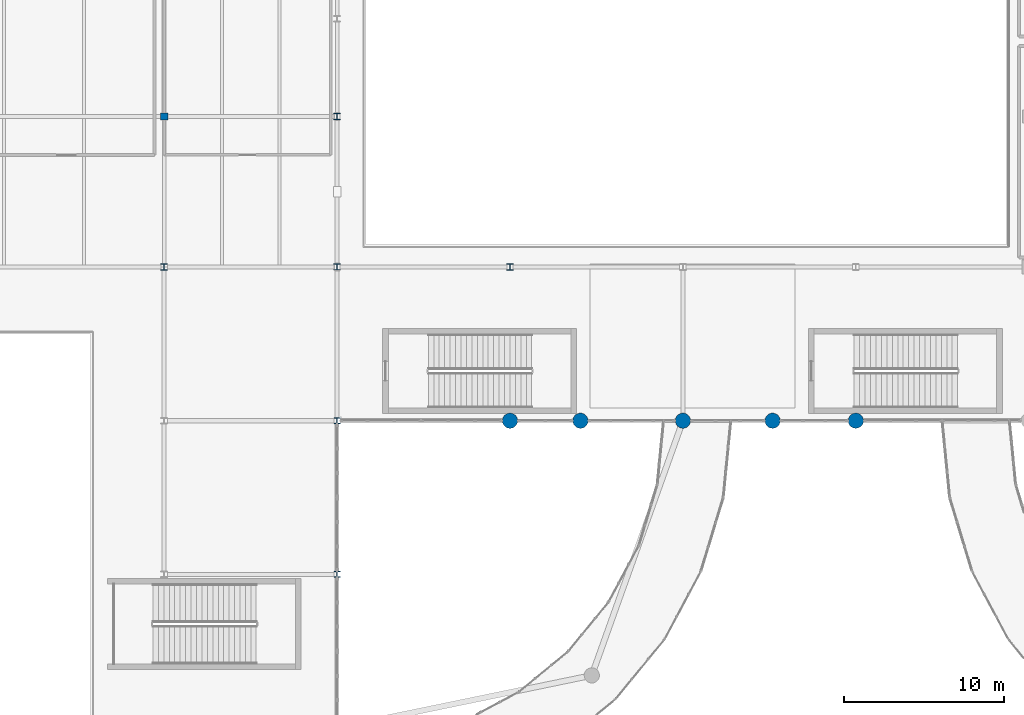
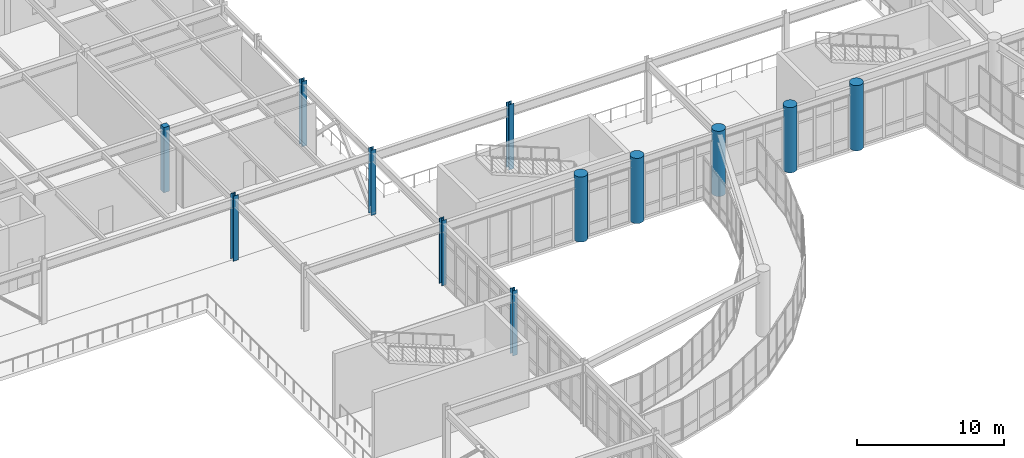
# One storey, part 6 of 72: 12 columns.
"""IFC4 building model written with IfcOpenShell, lengths in metres."""

from ifc_helpers import new_model, si_unit, direction, frame, origin, origin_2d, place, context, subcontext, project, spatial, rectangle, circle, i_section, extrude, material, material_profile, profile_set, type_object, element, save


model = new_model("IFC4")

# Units and contexts
model_context = context("Model", 3, precision=1e-05, world=origin(), true_north=direction((0.0, 1.0)))
body_context = subcontext(model_context, "Body", "Model", "MODEL_VIEW")
ifc_project = project(units=[si_unit("LENGTHUNIT", "METRE"), si_unit("AREAUNIT", "SQUARE_METRE"), si_unit("VOLUMEUNIT", "CUBIC_METRE"), si_unit("PLANEANGLEUNIT", "RADIAN"), si_unit("MASSUNIT", "GRAM", prefix="KILO")], contexts=[model_context])

# Site, building, storey
site_placement = place(None, origin())
site = spatial("IfcSite", under=ifc_project, at=site_placement, CompositionType="ELEMENT")
building_placement = place(site_placement, origin())
building = spatial("IfcBuilding", under=site, at=building_placement, Name="Veldera Park Congress Hotel", CompositionType="ELEMENT")
storey_placement = place(building_placement, frame((0.0, 0.0, 5.39990234375)))
storey = spatial("IfcBuildingStorey", under=building, at=storey_placement, Name="L01", CompositionType="ELEMENT", Elevation=5.39990234375)

# Columns
ifc_material_1 = material(Name="Glulam GL28h (NDS 24F-V4)", Category="wood")
ifc_material_profile_1 = material_profile(ifc_material_1, rectangle(XDim=0.449951171875, YDim=0.449951171875, at=origin_2d()), Name="GL28h 450x450")
ifc_profile_set_1 = profile_set([ifc_material_profile_1], Name="Glulam GL28h (NDS 24F-V4)")
column_type_1 = type_object("IfcColumnType", Name="COL-GL45E", PredefinedType="COLUMN", material=ifc_profile_set_1)
column_1_placement = place(storey_placement, frame((-12.39990234375, 36.39990234375, 0.0), z_axis=(0.0, 0.0, 1.0), x_axis=(1.0, 0.0, 0.0)))
element("IfcColumn", 1, at=column_1_placement, inside=storey, type_object=column_type_1, Name="L01 Column COL-GL45E (-12.4,36.4)", PredefinedType="COLUMN", context=body_context, shape_type="SweptSolid", body=[
    extrude(rectangle(XDim=0.449951171875, YDim=0.449951171875, at=origin_2d()), origin(), (0.0, 0.0, 1.0), 5.400146484375),
])
ifc_material_2 = material(Name="Concrete f'c 50 MPa (7,250 psi)", Category="concrete")
ifc_material_profile_2 = material_profile(ifc_material_2, circle(Radius=0.47509765625, at=origin_2d()), Name="RC D950")
ifc_profile_set_2 = profile_set([ifc_material_profile_2], Name="Concrete f'c 50 MPa (7,250 psi)")
column_type_2 = type_object("IfcColumnType", Name="COL-RCD90E", PredefinedType="COLUMN", material=ifc_profile_set_2)
for number, where, z_axis, x_axis, name in (
    (2, (9.199951171875, 17.39990234375, 0.0), (0.0, 0.0, 1.0), (1.0, 0.0, 0.0), "L01 Column COL-RCD90E (9.2,17.4)"),
    (3, (13.60009765625, 17.39990234375, 0.0), (0.0, 0.0, 1.0), (1.0, 0.0, 0.0), "L01 Column COL-RCD90E (13.6,17.4)"),
    (4, (20.0, 17.39990234375, 0.0), (0.0, 0.0, 1.0), (1.0, 0.0, 0.0), "L01 Column COL-RCD90E (20.0,17.4)"),
    (5, (25.60009765625, 17.39990234375, 0.0), (0.0, 0.0, 1.0), (1.0, 0.0, 0.0), "L01 Column COL-RCD90E (25.6,17.4)"),
    (6, (30.800048828125, 17.39990234375, 0.0), (0.0, 0.0, 1.0), (1.0, 0.0, 0.0), "L01 Column COL-RCD90E (30.8,17.4)"),
):
    element("IfcColumn", number, at=place(storey_placement, frame(where, z_axis=z_axis, x_axis=x_axis)), inside=storey, type_object=column_type_2, Name=name, PredefinedType="COLUMN", context=body_context, shape_type="SweptSolid", body=[
        extrude(circle(Radius=0.47509765625, at=origin_2d()), origin(), (0.0, 0.0, 1.0), 5.400146484375),
    ])
ifc_material_3 = material(Name="Steel ASTM A992 Gr.50", Category="steel")
ifc_material_profile_3 = material_profile(ifc_material_3, i_section(OverallWidth=0.3740234375, OverallDepth=0.3720703125, WebThickness=0.016357421875, FlangeThickness=0.026123046875, at=origin_2d()), Name="W14X132")
ifc_profile_set_3 = profile_set([ifc_material_profile_3], Name="Steel ASTM A992 Gr.50")
column_type_3 = type_object("IfcColumnType", Name="COL-STL132", PredefinedType="COLUMN", material=ifc_profile_set_3)
for number, where, z_axis, x_axis, name in (
    (7, (-1.60009765625, 7.800048828125, 0.0), (0.0, 0.0, 1.0), (1.0, 0.0, 0.0), "L01 Column COL-STL132 (-1.6,7.8)"),
    (8, (-1.60009765625, 17.39990234375, 0.0), (0.0, 0.0, 1.0), (1.0, 0.0, 0.0), "L01 Column COL-STL132 (-1.6,17.4)"),
):
    element("IfcColumn", number, at=place(storey_placement, frame(where, z_axis=z_axis, x_axis=x_axis)), inside=storey, type_object=column_type_3, Name=name, PredefinedType="COLUMN", context=body_context, shape_type="SweptSolid", body=[
        extrude(i_section(OverallWidth=0.3740234375, OverallDepth=0.3720703125, WebThickness=0.016357421875, FlangeThickness=0.026123046875, at=origin_2d()), origin(), (0.0, 0.0, 1.0), 5.400146484375),
    ])
ifc_material_profile_4 = material_profile(ifc_material_3, i_section(OverallWidth=0.39404296875, OverallDepth=0.375, WebThickness=0.017333984375, FlangeThickness=0.027587890625, at=origin_2d()), Name="W14X145")
ifc_profile_set_4 = profile_set([ifc_material_profile_4], Name="Steel ASTM A992 Gr.50")
column_type_4 = type_object("IfcColumnType", Name="COL-STL132E", PredefinedType="COLUMN", material=ifc_profile_set_4)
column_2_placement = place(storey_placement, frame((-1.60009765625, 27.0, 0.0), z_axis=(0.0, 0.0, 1.0), x_axis=(1.0, 0.0, 0.0)))
element("IfcColumn", 9, at=column_2_placement, inside=storey, type_object=column_type_4, Name="L01 Column COL-STL132E (-1.6,27.0)", PredefinedType="COLUMN", context=body_context, shape_type="SweptSolid", body=[
    extrude(i_section(OverallWidth=0.39404296875, OverallDepth=0.375, WebThickness=0.017333984375, FlangeThickness=0.027587890625, at=origin_2d()), origin(), (0.0, 0.0, 1.0), 5.400146484375),
])
ifc_material_profile_5 = material_profile(ifc_material_3, i_section(OverallWidth=0.39599609375, OverallDepth=0.381103515625, WebThickness=0.018798828125, FlangeThickness=0.0302734375, at=origin_2d()), Name="W14X159")
ifc_profile_set_5 = profile_set([ifc_material_profile_5], Name="Steel ASTM A992 Gr.50")
column_type_5 = type_object("IfcColumnType", Name="COL-STL159", PredefinedType="COLUMN", material=ifc_profile_set_5)
column_3_placement = place(storey_placement, frame((-1.60009765625, 36.39990234375, 0.0), z_axis=(0.0, 0.0, 1.0), x_axis=(1.0, 0.0, 0.0)))
element("IfcColumn", 10, at=column_3_placement, inside=storey, type_object=column_type_5, Name="L01 Column COL-STL159 (-1.6,36.4)", PredefinedType="COLUMN", context=body_context, shape_type="SweptSolid", body=[
    extrude(i_section(OverallWidth=0.39599609375, OverallDepth=0.381103515625, WebThickness=0.018798828125, FlangeThickness=0.0302734375, at=origin_2d()), origin(), (0.0, 0.0, 1.0), 5.400146484375),
])
ifc_material_profile_6 = material_profile(ifc_material_3, i_section(OverallWidth=0.39697265625, OverallDepth=0.386962890625, WebThickness=0.02099609375, FlangeThickness=0.033203125, at=origin_2d()), Name="W14X176")
ifc_profile_set_6 = profile_set([ifc_material_profile_6], Name="Steel ASTM A992 Gr.50")
column_type_6 = type_object("IfcColumnType", Name="COL-STL176", PredefinedType="COLUMN", material=ifc_profile_set_6)
column_4_placement = place(storey_placement, frame((9.199951171875, 27.0, 0.0), z_axis=(0.0, 0.0, 1.0), x_axis=(1.0, 0.0, 0.0)))
element("IfcColumn", 11, at=column_4_placement, inside=storey, type_object=column_type_6, Name="L01 Column COL-STL176 (9.2,27.0)", PredefinedType="COLUMN", context=body_context, shape_type="SweptSolid", body=[
    extrude(i_section(OverallWidth=0.39697265625, OverallDepth=0.386962890625, WebThickness=0.02099609375, FlangeThickness=0.033203125, at=origin_2d()), origin(), (0.0, 0.0, 1.0), 5.400146484375),
])
ifc_material_profile_7 = material_profile(ifc_material_3, i_section(OverallWidth=0.40087890625, OverallDepth=0.39892578125, WebThickness=0.02490234375, FlangeThickness=0.03955078125, at=origin_2d()), Name="W14X211")
ifc_profile_set_7 = profile_set([ifc_material_profile_7], Name="Steel ASTM A992 Gr.50")
column_type_7 = type_object("IfcColumnType", Name="COL-STL211E", PredefinedType="COLUMN", material=ifc_profile_set_7)
column_5_placement = place(storey_placement, frame((-12.39990234375, 27.0, 0.0), z_axis=(0.0, 0.0, 1.0), x_axis=(1.0, 0.0, 0.0)))
element("IfcColumn", 12, at=column_5_placement, inside=storey, type_object=column_type_7, Name="L01 Column COL-STL211E (-12.4,27.0)", PredefinedType="COLUMN", context=body_context, shape_type="SweptSolid", body=[
    extrude(i_section(OverallWidth=0.40087890625, OverallDepth=0.39892578125, WebThickness=0.02490234375, FlangeThickness=0.03955078125, at=origin_2d()), origin(), (0.0, 0.0, 1.0), 5.400146484375),
])

save(model, "model.ifc")
